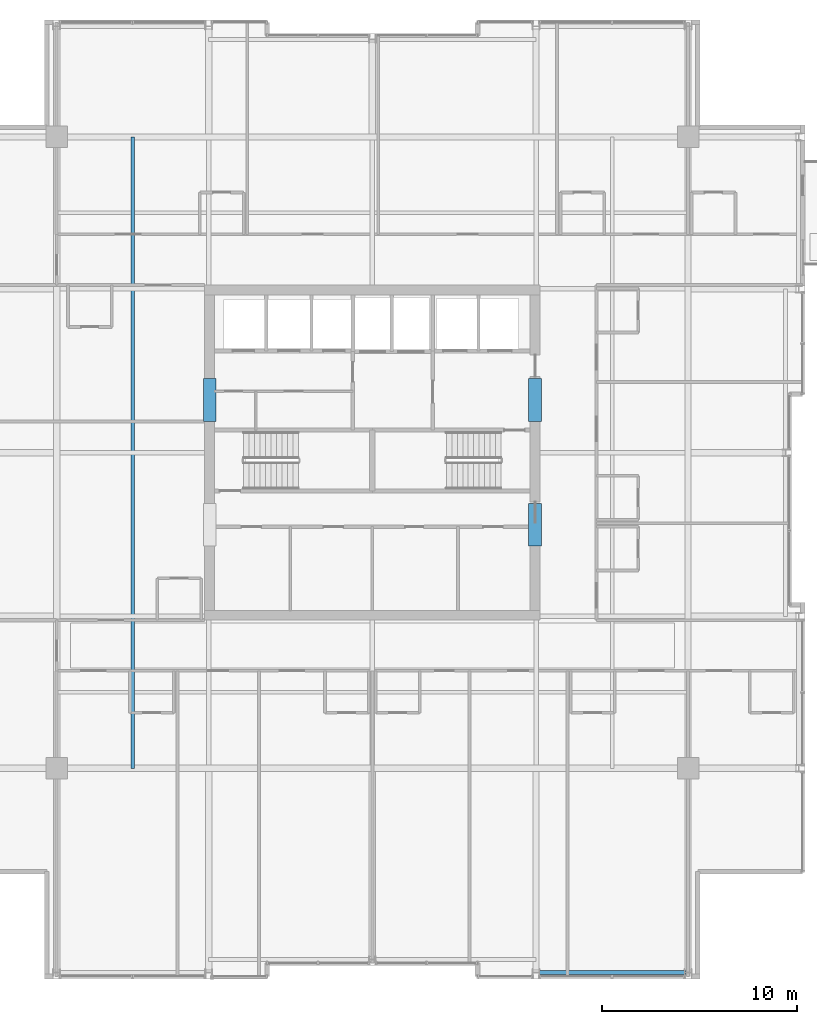
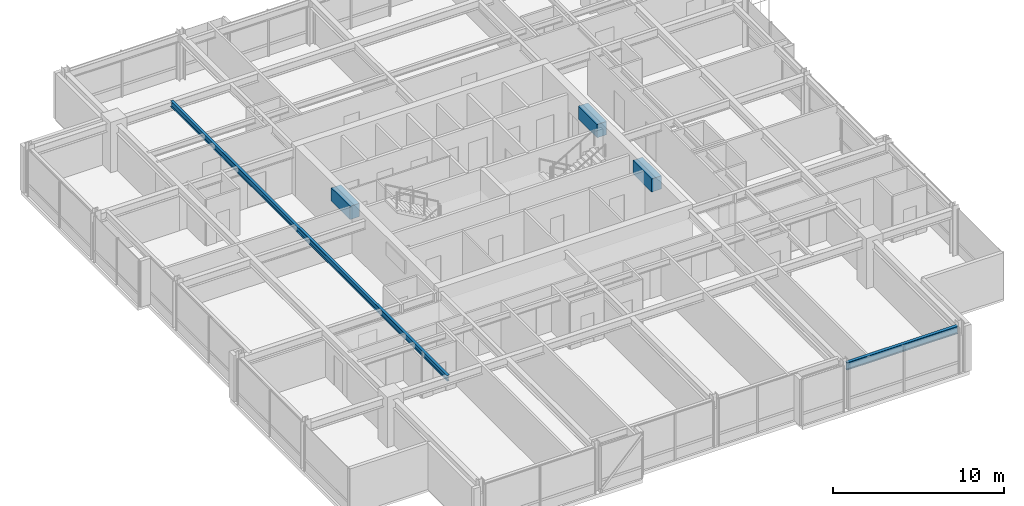
# One storey, part 13 of 34: 5 beams.
"""IFC4 building model written with IfcOpenShell, lengths in metres."""

from ifc_helpers import new_model, si_unit, direction, frame, origin, origin_2d, place, context, subcontext, project, spatial, rectangle, i_section, extrude, material, material_profile, profile_set, type_object, element, save


model = new_model("IFC4")

# Units and contexts
model_context = context("Model", 3, precision=1e-05, world=origin(), true_north=direction((0.0, 1.0)))
body_context = subcontext(model_context, "Body", "Model", "MODEL_VIEW")
ifc_project = project(units=[si_unit("LENGTHUNIT", "METRE"), si_unit("AREAUNIT", "SQUARE_METRE"), si_unit("VOLUMEUNIT", "CUBIC_METRE"), si_unit("PLANEANGLEUNIT", "RADIAN"), si_unit("MASSUNIT", "GRAM", prefix="KILO")], contexts=[model_context])

# Site, building, storey
site_placement = place(None, origin())
site = spatial("IfcSite", under=ifc_project, at=site_placement, CompositionType="ELEMENT")
building_placement = place(site_placement, origin())
building = spatial("IfcBuilding", under=site, at=building_placement, Name="Drelvath Grand Hotel", CompositionType="ELEMENT")
storey_placement = place(building_placement, frame((0.0, 0.0, 251.89990234375)))
storey = spatial("IfcBuildingStorey", under=building, at=storey_placement, Name="L66", CompositionType="ELEMENT", Elevation=251.89990234375)

# Beams
ifc_material_1 = material(Name="Steel ASTM A992 Gr 50", Category="steel")
ifc_material_profile_1 = material_profile(ifc_material_1, i_section(OverallWidth=0.177734375, OverallDepth=0.40673828125, WebThickness=0.0078125, FlangeThickness=0.0126953125, FilletRadius=0.014892578125, at=origin_2d()), Name="W16X40")
ifc_profile_set_1 = profile_set([ifc_material_profile_1], Name="Steel ASTM A992 Gr 50")
beam_type_1 = type_object("IfcBeamType", Name="Composite Floor Joist W16X40", PredefinedType="JOIST", material=ifc_profile_set_1)
beam_1_placement = place(storey_placement, frame((-12.300048828125, 10.800048828125, 3.0966796875), z_axis=(0.0, 1.0, 0.0), x_axis=(-1.0, 0.0, 0.0)))
element("IfcBeam", 1, at=beam_1_placement, inside=storey, type_object=beam_type_1, Name="L66 Wing Floor Joist J3", PredefinedType="JOIST", context=body_context, shape_type="SweptSolid", body=[
    extrude(i_section(OverallWidth=0.177734375, OverallDepth=0.40673828125, WebThickness=0.0078125, FlangeThickness=0.0126953125, FilletRadius=0.014892578125, at=origin_2d()), origin(), (0.0, 0.0, 1.0), 32.39990234375),
])
ifc_material_2 = material(Name="Concrete f'c 55 MPa", Category="concrete")
ifc_material_profile_2 = material_profile(ifc_material_2, rectangle(XDim=0.64990234375, YDim=0.949951171875, at=origin_2d()), Name="CB650X950")
ifc_profile_set_2 = profile_set([ifc_material_profile_2], Name="Concrete f'c 55 MPa")
beam_type_2 = type_object("IfcBeamType", Name="Core Coupling Lintel CB650X950", PredefinedType="LINTEL", material=ifc_profile_set_2)
for number, where, z_axis, x_axis, name in (
    (2, (-8.35009765625, 28.60009765625, 2.8251953125), (0.0, 1.0, 0.0), (-1.0, 0.0, 0.0), "L66 Core Coupling Lintel WN"),
    (3, (8.35009765625, 22.199951171875, 2.8251953125), (0.0, 1.0, 0.0), (-1.0, 0.0, 0.0), "L66 Core Coupling Lintel ES"),
    (4, (8.35009765625, 28.60009765625, 2.8251953125), (0.0, 1.0, 0.0), (-1.0, 0.0, 0.0), "L66 Core Coupling Lintel EN"),
):
    element("IfcBeam", number, at=place(storey_placement, frame(where, z_axis=z_axis, x_axis=x_axis)), inside=storey, type_object=beam_type_2, Name=name, PredefinedType="LINTEL", context=body_context, shape_type="SweptSolid", body=[
        extrude(rectangle(XDim=0.64990234375, YDim=0.949951171875, at=origin_2d()), origin(), (0.0, 0.0, 1.0), 2.199951171875),
    ])
ifc_material_profile_3 = material_profile(ifc_material_1, i_section(OverallWidth=0.210205078125, OverallDepth=0.53662109375, WebThickness=0.010986328125, FlangeThickness=0.017333984375, FilletRadius=0.01806640625, at=origin_2d()), Name="W21X68")
ifc_profile_set_3 = profile_set([ifc_material_profile_3], Name="Steel ASTM A992 Gr 50")
beam_type_3 = type_object("IfcBeamType", Name="Perimeter Spandrel Beam W21X68", PredefinedType="SPANDREL", material=ifc_profile_set_3)
beam_2_placement = place(storey_placement, frame((8.5400390625, 0.320068359375, 3.03173828125), z_axis=(1.0, 0.0, 0.0), x_axis=(0.0, 1.0, 0.0)))
element("IfcBeam", 5, at=beam_2_placement, inside=storey, type_object=beam_type_3, Name="L66 Spandrel South E", PredefinedType="SPANDREL", context=body_context, shape_type="SweptSolid", body=[
    extrude(i_section(OverallWidth=0.210205078125, OverallDepth=0.53662109375, WebThickness=0.010986328125, FlangeThickness=0.017333984375, FilletRadius=0.01806640625, at=origin_2d()), origin(), (0.0, 0.0, 1.0), 7.52001953125),
])

save(model, "model.ifc")
